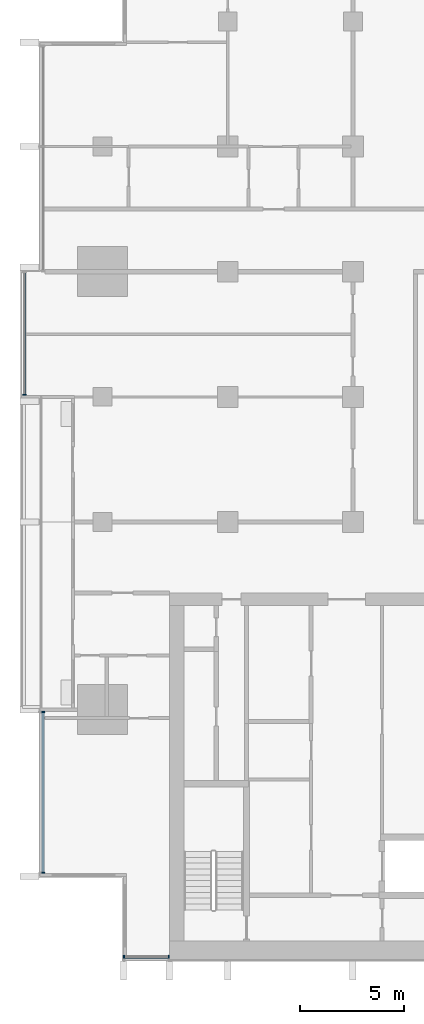
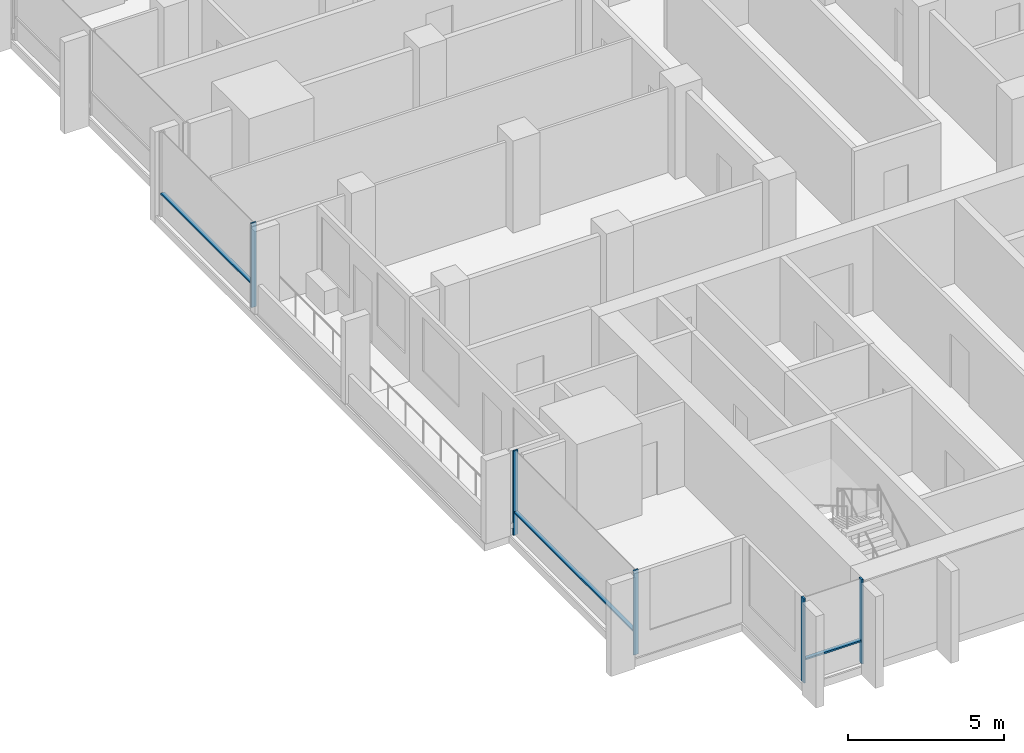
# One storey, part 2 of 16: 8 members, 3 elements without a shape of their own.
"""IFC4 building model written with IfcOpenShell, lengths in metres."""

from ifc_helpers import new_model, si_unit, direction, frame, origin, origin_2d, place, context, subcontext, project, spatial, rectangle, extrude, material, material_profile, profile_set, type_object, element, aggregate, save


model = new_model("IFC4")

# Units and contexts
model_context = context("Model", 3, precision=1e-05, world=origin(), true_north=direction((0.0, 1.0)))
body_context = subcontext(model_context, "Body", "Model", "MODEL_VIEW")
ifc_project = project(units=[si_unit("LENGTHUNIT", "METRE"), si_unit("AREAUNIT", "SQUARE_METRE"), si_unit("VOLUMEUNIT", "CUBIC_METRE"), si_unit("PLANEANGLEUNIT", "RADIAN"), si_unit("MASSUNIT", "GRAM", prefix="KILO")], contexts=[model_context])

# Site, building, storey
site_placement = place(None, origin())
site = spatial("IfcSite", under=ifc_project, at=site_placement, CompositionType="ELEMENT")
building_placement = place(site_placement, origin())
building = spatial("IfcBuilding", under=site, at=building_placement, Name="Finial Court Residences", CompositionType="ELEMENT")
storey_placement = place(building_placement, frame((0.0, 0.0, 188.89990234375)))
storey = spatial("IfcBuildingStorey", under=building, at=storey_placement, Name="L47", CompositionType="ELEMENT", Elevation=188.89990234375)

# Curtain wall, members
ifc_material = material(Name="Bronze anodised aluminium", Category="aluminium")
curtain_wall_type = type_object("IfcCurtainWallType", Name="Unitised curtain wall, upper zones", PredefinedType="NOTDEFINED", material=ifc_material)
curtain_wall_1_placement = place(storey_placement, origin())
curtain_wall_1 = element("IfcCurtainWall", 1, at=curtain_wall_1_placement, inside=storey, type_object=curtain_wall_type, Name="E-L47-CW-S7", PredefinedType="NOTDEFINED")
ifc_material_profile_1 = material_profile(ifc_material, rectangle(XDim=0.175048828125, YDim=0.06005859375, at=origin_2d()), Name="CW2 mullion 60 x 175")
ifc_profile_set_1 = profile_set([ifc_material_profile_1], Name="Bronze anodised aluminium")
member_type_1 = type_object("IfcMemberType", Name="CW2 mullion 60 x 175", PredefinedType="MULLION", material=ifc_profile_set_1)
member_1_placement = place(storey_placement, frame((-15.469970703125, -25.35009765625, 0.0), z_axis=(0.0, 0.0, 1.0), x_axis=(0.0, 1.0, 0.0)))
member_1 = element("IfcMember", 2, at=member_1_placement, type_object=member_type_1, Name="CW2 mullion 1", PredefinedType="MULLION", context=body_context, shape_type="SweptSolid", body=[
    extrude(rectangle(XDim=0.175048828125, YDim=0.06005859375, at=origin_2d()), origin(), (0.0, 0.0, 1.0), 3.300048828125),
])
member_2_placement = place(storey_placement, frame((-13.330078125, -25.35009765625, 0.0), z_axis=(0.0, 0.0, 1.0), x_axis=(0.0, 1.0, 0.0)))
member_2 = element("IfcMember", 3, at=member_2_placement, type_object=member_type_1, Name="CW2 mullion 2", PredefinedType="MULLION", context=body_context, shape_type="SweptSolid", body=[
    extrude(rectangle(XDim=0.175048828125, YDim=0.06005859375, at=origin_2d()), origin(), (0.0, 0.0, 1.0), 3.300048828125),
])

curtain_wall_2_placement = place(storey_placement, origin())
curtain_wall_2 = element("IfcCurtainWall", 4, at=curtain_wall_2_placement, inside=storey, type_object=curtain_wall_type, Name="E-L47-CW-W9", PredefinedType="NOTDEFINED")
member_3_placement = place(storey_placement, frame((-19.35009765625, -21.320068359375, 0.0), z_axis=(0.0, 0.0, 1.0), x_axis=(-1.0, 0.0, 0.0)))
member_3 = element("IfcMember", 5, at=member_3_placement, type_object=member_type_1, Name="CW2 mullion 1", PredefinedType="MULLION", context=body_context, shape_type="SweptSolid", body=[
    extrude(rectangle(XDim=0.175048828125, YDim=0.06005859375, at=origin_2d()), origin(), (0.0, 0.0, 1.0), 3.300048828125),
])
member_4_placement = place(storey_placement, frame((-19.35009765625, -13.60498046875, 0.0), z_axis=(0.0, 0.0, 1.0), x_axis=(-1.0, 0.0, 0.0)))
member_4 = element("IfcMember", 6, at=member_4_placement, type_object=member_type_1, Name="CW2 mullion 2", PredefinedType="MULLION", context=body_context, shape_type="SweptSolid", body=[
    extrude(rectangle(XDim=0.175048828125, YDim=0.06005859375, at=origin_2d()), origin(), (0.0, 0.0, 1.0), 3.300048828125),
])

# Curtain wall, member
curtain_wall_3_placement = place(storey_placement, origin())
curtain_wall_3 = element("IfcCurtainWall", 7, at=curtain_wall_3_placement, inside=storey, type_object=curtain_wall_type, Name="E-L47-CW-W10", PredefinedType="NOTDEFINED")
member_5_placement = place(storey_placement, frame((-20.25, 1.60498046875, 0.0), z_axis=(0.0, 0.0, 1.0), x_axis=(-1.0, 0.0, 0.0)))
member_5 = element("IfcMember", 8, at=member_5_placement, type_object=member_type_1, Name="CW2 mullion 1", PredefinedType="MULLION", context=body_context, shape_type="SweptSolid", body=[
    extrude(rectangle(XDim=0.175048828125, YDim=0.06005859375, at=origin_2d()), origin(), (0.0, 0.0, 1.0), 3.300048828125),
])

# Member
ifc_material_profile_2 = material_profile(ifc_material, rectangle(XDim=0.139892578125, YDim=0.06005859375, at=origin_2d()), Name="CW2 transom 60 x 140")
ifc_profile_set_2 = profile_set([ifc_material_profile_2], Name="Bronze anodised aluminium")
member_type_2 = type_object("IfcMemberType", Name="CW2 transom 60 x 140", PredefinedType="USERDEFINED", material=ifc_profile_set_2)
member_6_placement = place(storey_placement, frame((-15.43994140625, -25.35009765625, 0.900146484375), z_axis=(1.0, 0.0, 0.0), x_axis=(0.0, 1.0, 0.0)))
member_6 = element("IfcMember", 9, at=member_6_placement, type_object=member_type_2, Name="CW2 transom 1.1", ObjectType="TRANSOM", PredefinedType="USERDEFINED", context=body_context, shape_type="SweptSolid", body=[
    extrude(rectangle(XDim=0.139892578125, YDim=0.06005859375, at=origin_2d()), origin(), (0.0, 0.0, 1.0), 2.079833984375),
])

aggregate(curtain_wall_1, [member_1, member_2, member_6])

member_7_placement = place(storey_placement, frame((-19.35009765625, -21.2900390625, 0.900146484375), z_axis=(0.0, 1.0, 0.0), x_axis=(-1.0, 0.0, 0.0)))
member_7 = element("IfcMember", 10, at=member_7_placement, type_object=member_type_2, Name="CW2 transom 1.1", ObjectType="TRANSOM", PredefinedType="USERDEFINED", context=body_context, shape_type="SweptSolid", body=[
    extrude(rectangle(XDim=0.139892578125, YDim=0.06005859375, at=origin_2d()), origin(), (0.0, 0.0, 1.0), 7.655029296875),
])

aggregate(curtain_wall_2, [member_3, member_4, member_7])

member_8_placement = place(storey_placement, frame((-20.25, 1.635009765625, 0.900146484375), z_axis=(0.0, 1.0, 0.0), x_axis=(-1.0, 0.0, 0.0)))
member_8 = element("IfcMember", 11, at=member_8_placement, type_object=member_type_2, Name="CW2 transom 1.1", ObjectType="TRANSOM", PredefinedType="USERDEFINED", context=body_context, shape_type="SweptSolid", body=[
    extrude(rectangle(XDim=0.139892578125, YDim=0.06005859375, at=origin_2d()), origin(), (0.0, 0.0, 1.0), 5.804931640625),
])

aggregate(curtain_wall_3, [member_5, member_8])

save(model, "model.ifc")
